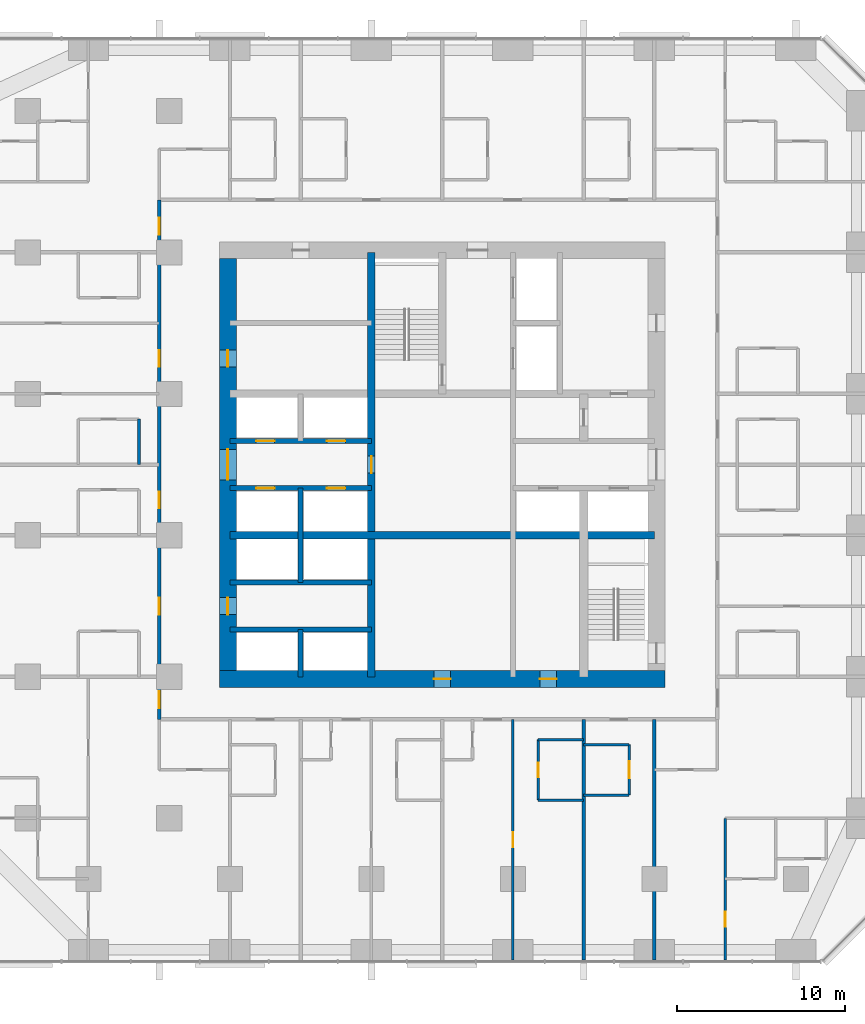
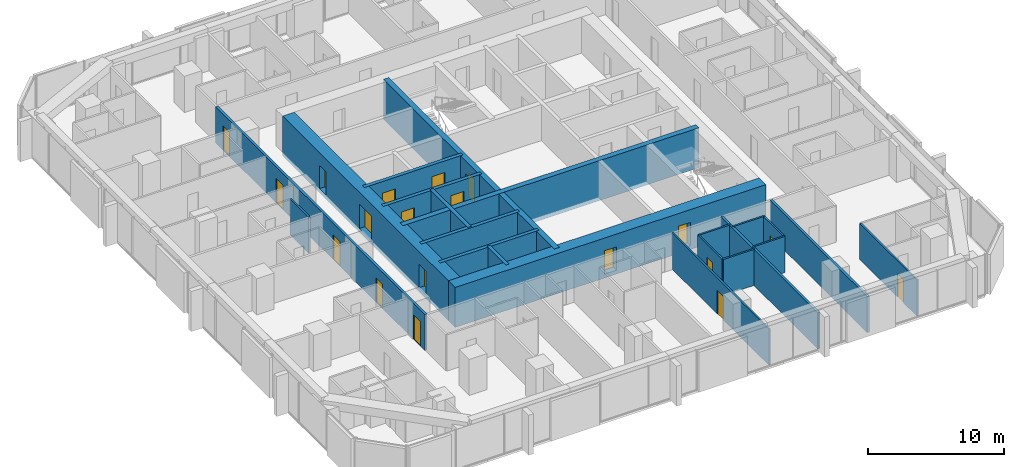
# One storey, part 9 of 14: 22 walls, 19 doors, 19 openings.
"""IFC4 building model written with IfcOpenShell, lengths in metres."""

from ifc_helpers import new_model, si_unit, direction, frame, frame_2d, origin, place, context, subcontext, project, spatial, rectangle, extrude, material, layer, layer_set, type_object, element, fill, save


model = new_model("IFC4")

# Units and contexts
model_context = context("Model", 3, precision=1e-05, world=origin(), true_north=direction((0.0, 1.0)))
body_context = subcontext(model_context, "Body", "Model", "MODEL_VIEW")
ifc_project = project(units=[si_unit("LENGTHUNIT", "METRE"), si_unit("AREAUNIT", "SQUARE_METRE"), si_unit("VOLUMEUNIT", "CUBIC_METRE"), si_unit("PLANEANGLEUNIT", "RADIAN"), si_unit("MASSUNIT", "GRAM", prefix="KILO")], contexts=[model_context])

# Site, building, storey
site_placement = place(None, origin())
site = spatial("IfcSite", under=ifc_project, at=site_placement, CompositionType="ELEMENT")
building_placement = place(site_placement, origin())
building = spatial("IfcBuilding", under=site, at=building_placement, Name="Dunama Terrace Hotel", CompositionType="ELEMENT")
storey_placement = place(building_placement, frame((0.0, 0.0, 140.39990234375)))
storey = spatial("IfcBuildingStorey", under=building, at=storey_placement, Name="L36", CompositionType="ELEMENT", Elevation=140.39990234375)

# Wall
ifc_material_1 = material(Name="Gypsum board partition", Category="masonry")
ifc_layer_1 = layer(ifc_material_1, 0.14990234375)
ifc_layer_set_1 = layer_set([ifc_layer_1], Name="Bathroom partition 150")
wall_type_1 = type_object("IfcWallType", Name="Bathroom partition 150", PredefinedType="PARTITIONING", material=ifc_layer_set_1)
wall_1_placement = place(storey_placement, frame((11.39990234375, 29.39990234375, 0.0), z_axis=(0.0, 0.0, 1.0), x_axis=(0.0, 1.0, 0.0)))
element("IfcWall", 1, at=wall_1_placement, inside=storey, type_object=wall_type_1, Name="Bathroom partition 150 L36", PredefinedType="PARTITIONING", context=body_context, shape_type="SweptSolid", body=[
    extrude(rectangle(XDim=2.7001953125, YDim=0.14990234375, at=frame_2d((1.35009765625, 0.0))), origin(), (0.0, 0.0, 1.0), 3.25),
])

# Wall, opening, door
wall_2_placement = place(storey_placement, frame((35.10009765625, 9.47509765625, 0.0), z_axis=(0.0, 0.0, 1.0), x_axis=(0.0, 1.0, 0.0)))
wall_2 = element("IfcWall", 2, at=wall_2_placement, inside=storey, type_object=wall_type_1, Name="Bathroom partition 150 L36", PredefinedType="PARTITIONING", context=body_context, shape_type="SweptSolid", body=[
    extrude(rectangle(XDim=3.599853515625, YDim=0.14990234375, at=frame_2d((1.7998046875, 0.0))), origin(), (0.0, 0.0, 1.0), 3.25),
])
opening_1_placement = place(wall_2_placement, frame((1.375, 0.0, 0.0)))
opening_1 = element("IfcOpeningElement", 3, at=opening_1_placement, cuts=wall_2, Name="Opening L34-36-020", PredefinedType="OPENING", context=body_context, shape_type="SweptSolid", body=[
    extrude(rectangle(XDim=0.85009765625, YDim=2.10009765625, at=frame_2d((0.425048828125, 1.050048828125))), frame((0.0, 0.0849609375, 0.0), z_axis=(0.0, -1.0, 0.0), x_axis=(1.0, 0.0, 0.0)), (0.0, 0.0, 1.0), 0.169921875),
])
ifc_material_2 = material(Name="Timber door with steel frame", Category="steel")
door_type_1 = type_object("IfcDoorType", Name="Bathroom door 850", OperationType="SINGLE_SWING_LEFT", PredefinedType="DOOR", material=ifc_material_2)
door_1_placement = place(opening_1_placement, frame((0.85009765625, 0.0, 0.0), z_axis=(0.0, 0.0, 1.0), x_axis=(-1.0, 0.0, 0.0)))
door_1 = element("IfcDoor", 4, at=door_1_placement, inside=storey, type_object=door_type_1, Name="Door to en-suite bathroom L34-36-020, type D2", OperationType="SINGLE_SWING_RIGHT", OverallHeight=2.10009765625, OverallWidth=0.85009765625, PredefinedType="DOOR", context=body_context, shape_type="SweptSolid", body=[
    extrude(rectangle(XDim=0.85009765625, YDim=2.10009765625, at=frame_2d((0.425048828125, 1.050048828125))), frame((0.0, 0.025146484375, 0.0), z_axis=(0.0, -1.0, 0.0), x_axis=(1.0, 0.0, 0.0)), (0.0, 0.0, 1.0), 0.050048828125),
])
fill(opening_1, door_1)

wall_3_placement = place(storey_placement, frame((40.5, 9.77490234375, 0.0), z_axis=(0.0, 0.0, 1.0), x_axis=(0.0, 1.0, 0.0)))
wall_3 = element("IfcWall", 5, at=wall_3_placement, inside=storey, type_object=wall_type_1, Name="Bathroom partition 150 L36", PredefinedType="PARTITIONING", context=body_context, shape_type="SweptSolid", body=[
    extrude(rectangle(XDim=3.0, YDim=0.14990234375, at=frame_2d((1.5, 0.0))), origin(), (0.0, 0.0, 1.0), 3.25),
])
opening_2_placement = place(wall_3_placement, frame((1.0, 0.0, 0.0)))
opening_2 = element("IfcOpeningElement", 6, at=opening_2_placement, cuts=wall_3, Name="Opening L34-36-022", PredefinedType="OPENING", context=body_context, shape_type="SweptSolid", body=[
    extrude(rectangle(XDim=1.0, YDim=2.10009765625, at=frame_2d((0.5, 1.050048828125))), frame((0.0, 0.0849609375, 0.0), z_axis=(0.0, -1.0, 0.0), x_axis=(1.0, 0.0, 0.0)), (0.0, 0.0, 1.0), 0.169921875),
])
ifc_material_3 = material(Name="Timber door with steel frame", Category="steel")
door_type_2 = type_object("IfcDoorType", Name="Accessible room door 1000", OperationType="SINGLE_SWING_LEFT", PredefinedType="DOOR", material=ifc_material_3)
door_2_placement = place(opening_2_placement, origin())
door_2 = element("IfcDoor", 7, at=door_2_placement, inside=storey, type_object=door_type_2, Name="Door to accessible en-suite bathroom L34-36-022, type D17", OperationType="SINGLE_SWING_LEFT", OverallHeight=2.10009765625, OverallWidth=1.0, PredefinedType="DOOR", context=body_context, shape_type="SweptSolid", body=[
    extrude(rectangle(XDim=1.0, YDim=2.10009765625, at=frame_2d((0.5, 1.050048828125))), frame((0.0, 0.02490234375, 0.0), z_axis=(0.0, -1.0, 0.0), x_axis=(1.0, 0.0, 0.0)), (0.0, 0.0, 1.0), 0.050048828125),
])
fill(opening_2, door_2)

# Walls
for number, where, z_axis, x_axis, name in (
    (8, (35.10009765625, 9.47509765625, 0.0), (0.0, 0.0, 1.0), (1.0, 0.0, 0.0), "Bathroom partition 150 L36"),
    (9, (37.800048828125, 9.77490234375, 0.0), (0.0, 0.0, 1.0), (1.0, 0.0, 0.0), "Bathroom partition 150 L36"),
    (10, (37.800048828125, 12.77490234375, 0.0), (0.0, 0.0, 1.0), (1.0, 0.0, 0.0), "Bathroom partition 150 L36"),
    (11, (35.10009765625, 13.074951171875, 0.0), (0.0, 0.0, 1.0), (1.0, 0.0, 0.0), "Bathroom partition 150 L36"),
):
    element("IfcWall", number, at=place(storey_placement, frame(where, z_axis=z_axis, x_axis=x_axis)), inside=storey, type_object=wall_type_1, Name=name, PredefinedType="PARTITIONING", context=body_context, shape_type="SweptSolid", body=[
        extrude(rectangle(XDim=2.699951171875, YDim=0.14990234375, at=frame_2d((1.35009765625, 0.0))), origin(), (0.0, 0.0, 1.0), 3.25),
    ])
ifc_material_4 = material(Name="Concrete C50/60", Category="concrete")
ifc_layer_2 = layer(ifc_material_4, 0.300048828125)
ifc_layer_set_2 = layer_set([ifc_layer_2], Name="Core inner wall 300")
wall_type_2 = type_object("IfcWallType", Name="Core inner wall 300", PredefinedType="SHEAR", material=ifc_layer_set_2)
wall_4_placement = place(storey_placement, frame((21.0, 16.800048828125, -0.349853515625), z_axis=(0.0, 0.0, 1.0), x_axis=(0.0, 1.0, 0.0)))
element("IfcWall", 12, at=wall_4_placement, inside=storey, type_object=wall_type_2, Name="Core inner wall 300 L36", PredefinedType="SHEAR", context=body_context, shape_type="SweptSolid", body=[
    extrude(rectangle(XDim=2.800048828125, YDim=0.300048828125, at=frame_2d((1.39990234375, 0.0))), origin(), (0.0, 0.0, 1.0), 3.599853515625),
])
wall_5_placement = place(storey_placement, frame((21.0, 22.39990234375, -0.349853515625), z_axis=(0.0, 0.0, 1.0), x_axis=(0.0, 1.0, 0.0)))
element("IfcWall", 13, at=wall_5_placement, inside=storey, type_object=wall_type_2, Name="Core inner wall 300 L36", PredefinedType="SHEAR", context=body_context, shape_type="SweptSolid", body=[
    extrude(rectangle(XDim=5.60009765625, YDim=0.300048828125, at=frame_2d((2.800048828125, 0.0))), origin(), (0.0, 0.0, 1.0), 3.599853515625),
])
for number, where, z_axis, x_axis, name in (
    (14, (16.800048828125, 19.60009765625, -0.349853515625), (0.0, 0.0, 1.0), (1.0, 0.0, 0.0), "Core inner wall 300 L36"),
    (15, (16.800048828125, 22.39990234375, -0.349853515625), (0.0, 0.0, 1.0), (1.0, 0.0, 0.0), "Core inner wall 300 L36"),
):
    element("IfcWall", number, at=place(storey_placement, frame(where, z_axis=z_axis, x_axis=x_axis)), inside=storey, type_object=wall_type_2, Name=name, PredefinedType="SHEAR", context=body_context, shape_type="SweptSolid", body=[
        extrude(rectangle(XDim=8.39990234375, YDim=0.300048828125, at=frame_2d((4.199951171875, 0.0))), origin(), (0.0, 0.0, 1.0), 3.599853515625),
    ])

# Wall, openings, doors
wall_6_placement = place(storey_placement, frame((16.800048828125, 28.0, -0.349853515625), z_axis=(0.0, 0.0, 1.0), x_axis=(1.0, 0.0, 0.0)))
wall_6 = element("IfcWall", 16, at=wall_6_placement, inside=storey, type_object=wall_type_2, Name="Core inner wall 300 L36", PredefinedType="SHEAR", context=body_context, shape_type="SweptSolid", body=[
    extrude(rectangle(XDim=8.39990234375, YDim=0.300048828125, at=frame_2d((4.199951171875, 0.0))), origin(), (0.0, 0.0, 1.0), 3.599853515625),
])
opening_3_placement = place(wall_6_placement, frame((1.550048828125, 0.0, 0.35009765625)))
opening_3 = element("IfcOpeningElement", 17, at=opening_3_placement, cuts=wall_6, Name="Opening L34-36-005", PredefinedType="OPENING", context=body_context, shape_type="SweptSolid", body=[
    extrude(rectangle(XDim=1.10009765625, YDim=2.199951171875, at=frame_2d((0.550048828125, 1.10009765625))), frame((0.0, 0.159912109375, 0.0), z_axis=(0.0, -1.0, 0.0), x_axis=(1.0, 0.0, 0.0)), (0.0, 0.0, 1.0), 0.320068359375),
])
opening_4_placement = place(wall_6_placement, frame((5.75, 0.0, 0.35009765625)))
opening_4 = element("IfcOpeningElement", 18, at=opening_4_placement, cuts=wall_6, Name="Opening L34-36-006", PredefinedType="OPENING", context=body_context, shape_type="SweptSolid", body=[
    extrude(rectangle(XDim=1.10009765625, YDim=2.199951171875, at=frame_2d((0.550048828125, 1.10009765625))), frame((0.0, 0.159912109375, 0.0), z_axis=(0.0, -1.0, 0.0), x_axis=(1.0, 0.0, 0.0)), (0.0, 0.0, 1.0), 0.320068359375),
])
ifc_material_5 = material(Name="Stainless steel lift door", Category="steel")
door_type_3 = type_object("IfcDoorType", Name="Lift landing door 1100", OperationType="DOUBLE_DOOR_SLIDING", PredefinedType="DOOR", material=ifc_material_5)
door_3_placement = place(opening_3_placement, origin())
door_3 = element("IfcDoor", 19, at=door_3_placement, inside=storey, type_object=door_type_3, Name="Landing door PC1 L34-36-005, type LD1", OperationType="DOUBLE_DOOR_SLIDING", OverallHeight=2.199951171875, OverallWidth=1.10009765625, PredefinedType="DOOR", context=body_context, shape_type="SweptSolid", body=[
    extrude(rectangle(XDim=1.10009765625, YDim=2.199951171875, at=frame_2d((0.550048828125, 1.10009765625))), frame((0.0, 0.02490234375, 0.0), z_axis=(0.0, -1.0, 0.0), x_axis=(1.0, 0.0, 0.0)), (0.0, 0.0, 1.0), 0.050048828125),
])
fill(opening_3, door_3)
door_4_placement = place(opening_4_placement, origin())
door_4 = element("IfcDoor", 20, at=door_4_placement, inside=storey, type_object=door_type_3, Name="Landing door PC2 L34-36-006, type LD1", OperationType="DOUBLE_DOOR_SLIDING", OverallHeight=2.199951171875, OverallWidth=1.10009765625, PredefinedType="DOOR", context=body_context, shape_type="SweptSolid", body=[
    extrude(rectangle(XDim=1.10009765625, YDim=2.199951171875, at=frame_2d((0.550048828125, 1.10009765625))), frame((0.0, 0.02490234375, 0.0), z_axis=(0.0, -1.0, 0.0), x_axis=(1.0, 0.0, 0.0)), (0.0, 0.0, 1.0), 0.050048828125),
])
fill(opening_4, door_4)

wall_7_placement = place(storey_placement, frame((16.800048828125, 30.800048828125, -0.349853515625), z_axis=(0.0, 0.0, 1.0), x_axis=(1.0, 0.0, 0.0)))
wall_7 = element("IfcWall", 21, at=wall_7_placement, inside=storey, type_object=wall_type_2, Name="Core inner wall 300 L36", PredefinedType="SHEAR", context=body_context, shape_type="SweptSolid", body=[
    extrude(rectangle(XDim=8.39990234375, YDim=0.300048828125, at=frame_2d((4.199951171875, 0.0))), origin(), (0.0, 0.0, 1.0), 3.599853515625),
])
opening_5_placement = place(wall_7_placement, frame((1.550048828125, 0.0, 0.35009765625)))
opening_5 = element("IfcOpeningElement", 22, at=opening_5_placement, cuts=wall_7, Name="Opening L34-36-007", PredefinedType="OPENING", context=body_context, shape_type="SweptSolid", body=[
    extrude(rectangle(XDim=1.10009765625, YDim=2.199951171875, at=frame_2d((0.550048828125, 1.10009765625))), frame((0.0, 0.159912109375, 0.0), z_axis=(0.0, -1.0, 0.0), x_axis=(1.0, 0.0, 0.0)), (0.0, 0.0, 1.0), 0.320068359375),
])
opening_6_placement = place(wall_7_placement, frame((5.75, 0.0, 0.35009765625)))
opening_6 = element("IfcOpeningElement", 23, at=opening_6_placement, cuts=wall_7, Name="Opening L34-36-008", PredefinedType="OPENING", context=body_context, shape_type="SweptSolid", body=[
    extrude(rectangle(XDim=1.10009765625, YDim=2.199951171875, at=frame_2d((0.550048828125, 1.10009765625))), frame((0.0, 0.159912109375, 0.0), z_axis=(0.0, -1.0, 0.0), x_axis=(1.0, 0.0, 0.0)), (0.0, 0.0, 1.0), 0.320068359375),
])
door_5_placement = place(opening_5_placement, origin())
door_5 = element("IfcDoor", 24, at=door_5_placement, inside=storey, type_object=door_type_3, Name="Landing door PC3 L34-36-007, type LD1", OperationType="DOUBLE_DOOR_SLIDING", OverallHeight=2.199951171875, OverallWidth=1.10009765625, PredefinedType="DOOR", context=body_context, shape_type="SweptSolid", body=[
    extrude(rectangle(XDim=1.10009765625, YDim=2.199951171875, at=frame_2d((0.550048828125, 1.10009765625))), frame((0.0, 0.02490234375, 0.0), z_axis=(0.0, -1.0, 0.0), x_axis=(1.0, 0.0, 0.0)), (0.0, 0.0, 1.0), 0.050048828125),
])
fill(opening_5, door_5)
door_6_placement = place(opening_6_placement, origin())
door_6 = element("IfcDoor", 25, at=door_6_placement, inside=storey, type_object=door_type_3, Name="Landing door PC4 L34-36-008, type LD1", OperationType="DOUBLE_DOOR_SLIDING", OverallHeight=2.199951171875, OverallWidth=1.10009765625, PredefinedType="DOOR", context=body_context, shape_type="SweptSolid", body=[
    extrude(rectangle(XDim=1.10009765625, YDim=2.199951171875, at=frame_2d((0.550048828125, 1.10009765625))), frame((0.0, 0.02490234375, 0.0), z_axis=(0.0, -1.0, 0.0), x_axis=(1.0, 0.0, 0.0)), (0.0, 0.0, 1.0), 0.050048828125),
])
fill(opening_6, door_6)

# Wall, opening, door
ifc_material_6 = material(Name="Concrete C50/60", Category="concrete")
ifc_layer_3 = layer(ifc_material_6, 0.449951171875)
ifc_layer_set_3 = layer_set([ifc_layer_3], Name="Core inner wall 450")
wall_type_3 = type_object("IfcWallType", Name="Core inner wall 450", PredefinedType="SHEAR", material=ifc_layer_set_3)
wall_8_placement = place(storey_placement, frame((25.199951171875, 16.800048828125, -0.349853515625), z_axis=(0.0, 0.0, 1.0), x_axis=(0.0, 1.0, 0.0)))
wall_8 = element("IfcWall", 26, at=wall_8_placement, inside=storey, type_object=wall_type_3, Name="Core inner wall 450 L36", PredefinedType="SHEAR", context=body_context, shape_type="SweptSolid", body=[
    extrude(rectangle(XDim=25.199951171875, YDim=0.449951171875, at=frame_2d((12.60009765625, 0.0))), origin(), (0.0, 0.0, 1.0), 3.599853515625),
])
opening_7_placement = place(wall_8_placement, frame((12.10009765625, 0.0, 0.35009765625)))
opening_7 = element("IfcOpeningElement", 27, at=opening_7_placement, cuts=wall_8, Name="Opening L34-36-074", PredefinedType="OPENING", context=body_context, shape_type="SweptSolid", body=[
    extrude(rectangle(XDim=1.0, YDim=2.10009765625, at=frame_2d((0.5, 1.050048828125))), frame((0.0, 0.23486328125, 0.0), z_axis=(0.0, -1.0, 0.0), x_axis=(1.0, 0.0, 0.0)), (0.0, 0.0, 1.0), 0.469970703125),
])
ifc_material_7 = material(Name="Timber door with steel frame", Category="steel")
door_type_4 = type_object("IfcDoorType", Name="Service door 1000", OperationType="SINGLE_SWING_LEFT", PredefinedType="DOOR", material=ifc_material_7)
door_7_placement = place(opening_7_placement, frame((1.0, 0.0, 0.0), z_axis=(0.0, 0.0, 1.0), x_axis=(-1.0, 0.0, 0.0)))
door_7 = element("IfcDoor", 28, at=door_7_placement, inside=storey, type_object=door_type_4, Name="Door to guest pantry L34-36-074, type D7", OperationType="SINGLE_SWING_RIGHT", OverallHeight=2.10009765625, OverallWidth=1.0, PredefinedType="DOOR", context=body_context, shape_type="SweptSolid", body=[
    extrude(rectangle(XDim=1.0, YDim=2.10009765625, at=frame_2d((0.5, 1.050048828125))), frame((0.0, 0.025146484375, 0.0), z_axis=(0.0, -1.0, 0.0), x_axis=(1.0, 0.0, 0.0)), (0.0, 0.0, 1.0), 0.050048828125),
])
fill(opening_7, door_7)

# Wall
wall_9_placement = place(storey_placement, frame((16.800048828125, 25.199951171875, -0.349853515625), z_axis=(0.0, 0.0, 1.0), x_axis=(1.0, 0.0, 0.0)))
element("IfcWall", 29, at=wall_9_placement, inside=storey, type_object=wall_type_3, Name="Core inner wall 450 L36", PredefinedType="SHEAR", context=body_context, shape_type="SweptSolid", body=[
    extrude(rectangle(XDim=25.199951171875, YDim=0.449951171875, at=frame_2d((12.60009765625, 0.0))), origin(), (0.0, 0.0, 1.0), 3.599853515625),
])

# Wall, openings, doors
ifc_material_8 = material(Name="Concrete C60/75", Category="concrete")
ifc_layer_4 = layer(ifc_material_8, 1.0)
ifc_layer_set_4 = layer_set([ifc_layer_4], Name="Core wall 1000")
wall_type_4 = type_object("IfcWallType", Name="Core wall 1000", PredefinedType="SHEAR", material=ifc_layer_set_4)
wall_10_placement = place(storey_placement, frame((16.175048828125, 16.675048828125, -0.349853515625), z_axis=(0.0, 0.0, 1.0), x_axis=(1.0, 0.0, 0.0)))
wall_10 = element("IfcWall", 30, at=wall_10_placement, inside=storey, type_object=wall_type_4, Name="Core wall south L36", PredefinedType="SHEAR", context=body_context, shape_type="SweptSolid", body=[
    extrude(rectangle(XDim=26.449951171875, YDim=1.0, at=frame_2d((13.22509765625, 0.0))), origin(), (0.0, 0.0, 1.0), 3.599853515625),
])
opening_8_placement = place(wall_10_placement, frame((12.72509765625, 0.0, 0.35009765625)))
opening_8 = element("IfcOpeningElement", 31, at=opening_8_placement, cuts=wall_10, Name="Opening L34-36-080", PredefinedType="OPENING", context=body_context, shape_type="SweptSolid", body=[
    extrude(rectangle(XDim=1.0, YDim=2.10009765625, at=frame_2d((0.5, 1.050048828125))), frame((0.0, 0.510009765625, 0.0), z_axis=(0.0, -1.0, 0.0), x_axis=(1.0, 0.0, 0.0)), (0.0, 0.0, 1.0), 1.02001953125),
])
opening_9_placement = place(wall_10_placement, frame((19.02490234375, 0.0, 0.35009765625)))
opening_9 = element("IfcOpeningElement", 32, at=opening_9_placement, cuts=wall_10, Name="Opening L34-36-081", PredefinedType="OPENING", context=body_context, shape_type="SweptSolid", body=[
    extrude(rectangle(XDim=1.0, YDim=2.10009765625, at=frame_2d((0.5, 1.050048828125))), frame((0.0, 0.510009765625, 0.0), z_axis=(0.0, -1.0, 0.0), x_axis=(1.0, 0.0, 0.0)), (0.0, 0.0, 1.0), 1.02001953125),
])
door_8_placement = place(opening_8_placement, origin())
door_8 = element("IfcDoor", 33, at=door_8_placement, inside=storey, type_object=door_type_4, Name="Door to corridor air handling room L34-36-080, type D7", OperationType="SINGLE_SWING_LEFT", OverallHeight=2.10009765625, OverallWidth=1.0, PredefinedType="DOOR", context=body_context, shape_type="SweptSolid", body=[
    extrude(rectangle(XDim=1.0, YDim=2.10009765625, at=frame_2d((0.5, 1.050048828125))), frame((0.0, 0.02490234375, 0.0), z_axis=(0.0, -1.0, 0.0), x_axis=(1.0, 0.0, 0.0)), (0.0, 0.0, 1.0), 0.050048828125),
])
fill(opening_8, door_8)
door_9_placement = place(opening_9_placement, origin())
door_9 = element("IfcDoor", 34, at=door_9_placement, inside=storey, type_object=door_type_4, Name="Door to water riser room L34-36-081, type D7", OperationType="SINGLE_SWING_RIGHT", OverallHeight=2.10009765625, OverallWidth=1.0, PredefinedType="DOOR", context=body_context, shape_type="SweptSolid", body=[
    extrude(rectangle(XDim=1.0, YDim=2.10009765625, at=frame_2d((0.5, 1.050048828125))), frame((0.0, 0.02490234375, 0.0), z_axis=(0.0, -1.0, 0.0), x_axis=(1.0, 0.0, 0.0)), (0.0, 0.0, 1.0), 0.050048828125),
])
fill(opening_9, door_9)

wall_11_placement = place(storey_placement, frame((16.675048828125, 41.625, -0.349853515625), z_axis=(0.0, 0.0, 1.0), x_axis=(0.0, -1.0, 0.0)))
wall_11 = element("IfcWall", 35, at=wall_11_placement, inside=storey, type_object=wall_type_4, Name="Core wall west L36", PredefinedType="SHEAR", context=body_context, shape_type="SweptSolid", body=[
    extrude(rectangle(XDim=24.449951171875, YDim=1.0, at=frame_2d((12.22509765625, 0.0))), origin(), (0.0, 0.0, 1.0), 3.599853515625),
])
opening_10_placement = place(wall_11_placement, frame((11.324951171875, 0.0, 0.35009765625)))
opening_10 = element("IfcOpeningElement", 36, at=opening_10_placement, cuts=wall_11, Name="Opening L34-36-070", PredefinedType="OPENING", context=body_context, shape_type="SweptSolid", body=[
    extrude(rectangle(XDim=1.800048828125, YDim=2.199951171875, at=frame_2d((0.89990234375, 1.10009765625))), frame((0.0, 0.510009765625, 0.0), z_axis=(0.0, -1.0, 0.0), x_axis=(1.0, 0.0, 0.0)), (0.0, 0.0, 1.0), 1.02001953125),
])
opening_11_placement = place(wall_11_placement, frame((20.125, 0.0, 0.35009765625)))
opening_11 = element("IfcOpeningElement", 37, at=opening_11_placement, cuts=wall_11, Name="Opening L34-36-071", PredefinedType="OPENING", context=body_context, shape_type="SweptSolid", body=[
    extrude(rectangle(XDim=1.0, YDim=2.10009765625, at=frame_2d((0.5, 1.050048828125))), frame((0.0, 0.510009765625, 0.0), z_axis=(0.0, -1.0, 0.0), x_axis=(1.0, 0.0, 0.0)), (0.0, 0.0, 1.0), 1.02001953125),
])
opening_12_placement = place(wall_11_placement, frame((5.425048828125, 0.0, 0.35009765625)))
opening_12 = element("IfcOpeningElement", 38, at=opening_12_placement, cuts=wall_11, Name="Opening L34-36-072", PredefinedType="OPENING", context=body_context, shape_type="SweptSolid", body=[
    extrude(rectangle(XDim=1.0, YDim=2.10009765625, at=frame_2d((0.5, 1.050048828125))), frame((0.0, 0.510009765625, 0.0), z_axis=(0.0, -1.0, 0.0), x_axis=(1.0, 0.0, 0.0)), (0.0, 0.0, 1.0), 1.02001953125),
])
ifc_material_9 = material(Name="Timber door with steel frame", Category="steel")
door_type_5 = type_object("IfcDoorType", Name="Lift lobby double door 1800", OperationType="DOUBLE_DOOR_DOUBLE_SWING", PredefinedType="DOOR", material=ifc_material_9)
door_10_placement = place(opening_10_placement, origin())
door_10 = element("IfcDoor", 39, at=door_10_placement, inside=storey, type_object=door_type_5, Name="Door to lift lobby L34-36-070, type D3", OperationType="DOUBLE_DOOR_DOUBLE_SWING", OverallHeight=2.199951171875, OverallWidth=1.800048828125, PredefinedType="DOOR", context=body_context, shape_type="SweptSolid", body=[
    extrude(rectangle(XDim=1.800048828125, YDim=2.199951171875, at=frame_2d((0.89990234375, 1.10009765625))), frame((0.0, 0.02490234375, 0.0), z_axis=(0.0, -1.0, 0.0), x_axis=(1.0, 0.0, 0.0)), (0.0, 0.0, 1.0), 0.050048828125),
])
fill(opening_10, door_10)
door_11_placement = place(opening_11_placement, origin())
door_11 = element("IfcDoor", 40, at=door_11_placement, inside=storey, type_object=door_type_4, Name="Door to service lobby L34-36-071, type D7", OperationType="SINGLE_SWING_LEFT", OverallHeight=2.10009765625, OverallWidth=1.0, PredefinedType="DOOR", context=body_context, shape_type="SweptSolid", body=[
    extrude(rectangle(XDim=1.0, YDim=2.10009765625, at=frame_2d((0.5, 1.050048828125))), frame((0.0, 0.02490234375, 0.0), z_axis=(0.0, -1.0, 0.0), x_axis=(1.0, 0.0, 0.0)), (0.0, 0.0, 1.0), 0.050048828125),
])
fill(opening_11, door_11)
door_12_placement = place(opening_12_placement, origin())
door_12 = element("IfcDoor", 41, at=door_12_placement, inside=storey, type_object=door_type_4, Name="Door to electrical room L34-36-072, type D7", OperationType="SINGLE_SWING_RIGHT", OverallHeight=2.10009765625, OverallWidth=1.0, PredefinedType="DOOR", context=body_context, shape_type="SweptSolid", body=[
    extrude(rectangle(XDim=1.0, YDim=2.10009765625, at=frame_2d((0.5, 1.050048828125))), frame((0.0, 0.02490234375, 0.0), z_axis=(0.0, -1.0, 0.0), x_axis=(1.0, 0.0, 0.0)), (0.0, 0.0, 1.0), 0.050048828125),
])
fill(opening_12, door_12)

ifc_material_10 = material(Name="Concrete blockwork", Category="masonry")
ifc_layer_5 = layer(ifc_material_10, 0.199951171875)
ifc_layer_set_5 = layer_set([ifc_layer_5], Name="Corridor partition 200")
wall_type_5 = type_object("IfcWallType", Name="Corridor partition 200", PredefinedType="PARTITIONING", material=ifc_layer_set_5)
wall_12_placement = place(storey_placement, frame((12.60009765625, 14.27490234375, 0.0), z_axis=(0.0, 0.0, 1.0), x_axis=(0.0, 1.0, 0.0)))
wall_12 = element("IfcWall", 42, at=wall_12_placement, inside=storey, type_object=wall_type_5, Name="Corridor partition 200 L36", PredefinedType="PARTITIONING", context=body_context, shape_type="SweptSolid", body=[
    extrude(rectangle(XDim=30.85009765625, YDim=0.199951171875, at=frame_2d((15.425048828125, 0.0))), origin(), (0.0, 0.0, 1.0), 3.25),
])
opening_13_placement = place(wall_12_placement, frame((6.22509765625, 0.0, 0.0)))
opening_13 = element("IfcOpeningElement", 43, at=opening_13_placement, cuts=wall_12, Name="Opening L34-36-040", PredefinedType="OPENING", context=body_context, shape_type="SweptSolid", body=[
    extrude(rectangle(XDim=1.0, YDim=2.199951171875, at=frame_2d((0.5, 1.10009765625))), frame((0.0, 0.10986328125, 0.0), z_axis=(0.0, -1.0, 0.0), x_axis=(1.0, 0.0, 0.0)), (0.0, 0.0, 1.0), 0.219970703125),
])
opening_14_placement = place(wall_12_placement, frame((12.52490234375, 0.0, 0.0)))
opening_14 = element("IfcOpeningElement", 44, at=opening_14_placement, cuts=wall_12, Name="Opening L34-36-042", PredefinedType="OPENING", context=body_context, shape_type="SweptSolid", body=[
    extrude(rectangle(XDim=1.0, YDim=2.199951171875, at=frame_2d((0.5, 1.10009765625))), frame((0.0, 0.10986328125, 0.0), z_axis=(0.0, -1.0, 0.0), x_axis=(1.0, 0.0, 0.0)), (0.0, 0.0, 1.0), 0.219970703125),
])
opening_15_placement = place(wall_12_placement, frame((20.925048828125, 0.0, 0.0)))
opening_15 = element("IfcOpeningElement", 45, at=opening_15_placement, cuts=wall_12, Name="Opening L34-36-044", PredefinedType="OPENING", context=body_context, shape_type="SweptSolid", body=[
    extrude(rectangle(XDim=1.0, YDim=2.199951171875, at=frame_2d((0.5, 1.10009765625))), frame((0.0, 0.10986328125, 0.0), z_axis=(0.0, -1.0, 0.0), x_axis=(1.0, 0.0, 0.0)), (0.0, 0.0, 1.0), 0.219970703125),
])
opening_16_placement = place(wall_12_placement, frame((0.6630859375, 0.0, 0.0)))
opening_16 = element("IfcOpeningElement", 46, at=opening_16_placement, cuts=wall_12, Name="Opening L34-36-049", PredefinedType="OPENING", context=body_context, shape_type="SweptSolid", body=[
    extrude(rectangle(XDim=1.0, YDim=2.199951171875, at=frame_2d((0.5, 1.10009765625))), frame((0.0, 0.10986328125, 0.0), z_axis=(0.0, -1.0, 0.0), x_axis=(1.0, 0.0, 0.0)), (0.0, 0.0, 1.0), 0.219970703125),
])
opening_17_placement = place(wall_12_placement, frame((28.787109375, 0.0, 0.0)))
opening_17 = element("IfcOpeningElement", 47, at=opening_17_placement, cuts=wall_12, Name="Opening L34-36-065", PredefinedType="OPENING", context=body_context, shape_type="SweptSolid", body=[
    extrude(rectangle(XDim=1.0, YDim=2.199951171875, at=frame_2d((0.5, 1.10009765625))), frame((0.0, 0.10986328125, 0.0), z_axis=(0.0, -1.0, 0.0), x_axis=(1.0, 0.0, 0.0)), (0.0, 0.0, 1.0), 0.219970703125),
])
ifc_material_11 = material(Name="Timber door with steel frame", Category="steel")
door_type_6 = type_object("IfcDoorType", Name="Guest room door 1000", OperationType="SINGLE_SWING_LEFT", PredefinedType="DOOR", material=ifc_material_11)
door_13_placement = place(opening_13_placement, origin())
door_13 = element("IfcDoor", 48, at=door_13_placement, inside=storey, type_object=door_type_6, Name="Door to junior suite L34-36-040, type D1", OperationType="SINGLE_SWING_LEFT", OverallHeight=2.199951171875, OverallWidth=1.0, PredefinedType="DOOR", context=body_context, shape_type="SweptSolid", body=[
    extrude(rectangle(XDim=1.0, YDim=2.199951171875, at=frame_2d((0.5, 1.10009765625))), frame((0.0, 0.02490234375, 0.0), z_axis=(0.0, -1.0, 0.0), x_axis=(1.0, 0.0, 0.0)), (0.0, 0.0, 1.0), 0.050048828125),
])
fill(opening_13, door_13)
door_14_placement = place(opening_14_placement, origin())
door_14 = element("IfcDoor", 49, at=door_14_placement, inside=storey, type_object=door_type_6, Name="Door to premier room L34-36-042, type D1", OperationType="SINGLE_SWING_LEFT", OverallHeight=2.199951171875, OverallWidth=1.0, PredefinedType="DOOR", context=body_context, shape_type="SweptSolid", body=[
    extrude(rectangle(XDim=1.0, YDim=2.199951171875, at=frame_2d((0.5, 1.10009765625))), frame((0.0, 0.02490234375, 0.0), z_axis=(0.0, -1.0, 0.0), x_axis=(1.0, 0.0, 0.0)), (0.0, 0.0, 1.0), 0.050048828125),
])
fill(opening_14, door_14)
door_15_placement = place(opening_15_placement, origin())
door_15 = element("IfcDoor", 50, at=door_15_placement, inside=storey, type_object=door_type_6, Name="Door to family suite living room L34-36-044, type D1", OperationType="SINGLE_SWING_LEFT", OverallHeight=2.199951171875, OverallWidth=1.0, PredefinedType="DOOR", context=body_context, shape_type="SweptSolid", body=[
    extrude(rectangle(XDim=1.0, YDim=2.199951171875, at=frame_2d((0.5, 1.10009765625))), frame((0.0, 0.02490234375, 0.0), z_axis=(0.0, -1.0, 0.0), x_axis=(1.0, 0.0, 0.0)), (0.0, 0.0, 1.0), 0.050048828125),
])
fill(opening_15, door_15)
door_16_placement = place(opening_16_placement, origin())
door_16 = element("IfcDoor", 51, at=door_16_placement, inside=storey, type_object=door_type_6, Name="Door to corner suite living room L34-36-049, type D1", OperationType="SINGLE_SWING_RIGHT", OverallHeight=2.199951171875, OverallWidth=1.0, PredefinedType="DOOR", context=body_context, shape_type="SweptSolid", body=[
    extrude(rectangle(XDim=1.0, YDim=2.199951171875, at=frame_2d((0.5, 1.10009765625))), frame((0.0, 0.02490234375, 0.0), z_axis=(0.0, -1.0, 0.0), x_axis=(1.0, 0.0, 0.0)), (0.0, 0.0, 1.0), 0.050048828125),
])
fill(opening_16, door_16)
door_17_placement = place(opening_17_placement, origin())
door_17 = element("IfcDoor", 52, at=door_17_placement, inside=storey, type_object=door_type_6, Name="Door to corner suite living room L34-36-065, type D1", OperationType="SINGLE_SWING_LEFT", OverallHeight=2.199951171875, OverallWidth=1.0, PredefinedType="DOOR", context=body_context, shape_type="SweptSolid", body=[
    extrude(rectangle(XDim=1.0, YDim=2.199951171875, at=frame_2d((0.5, 1.10009765625))), frame((0.0, 0.02490234375, 0.0), z_axis=(0.0, -1.0, 0.0), x_axis=(1.0, 0.0, 0.0)), (0.0, 0.0, 1.0), 0.050048828125),
])
fill(opening_17, door_17)

# Walls
ifc_material_12 = material(Name="Concrete blockwork", Category="masonry")
ifc_layer_6 = layer(ifc_material_12, 0.199951171875)
ifc_layer_set_6 = layer_set([ifc_layer_6], Name="Party wall 200")
wall_type_6 = type_object("IfcWallType", Name="Party wall 200", PredefinedType="PARTITIONING", material=ifc_layer_set_6)
for number, where, z_axis, x_axis, name in (
    (53, (37.800048828125, -0.01806640625, 0.0), (0.0, 0.0, 1.0), (0.0, 1.0, 0.0), "Party wall 200 L36"),
    (54, (42.0, -0.01806640625, 0.0), (0.0, 0.0, 1.0), (0.0, 1.0, 0.0), "Party wall 200 L36"),
):
    element("IfcWall", number, at=place(storey_placement, frame(where, z_axis=z_axis, x_axis=x_axis)), inside=storey, type_object=wall_type_6, Name=name, PredefinedType="PARTITIONING", context=body_context, shape_type="SweptSolid", body=[
        extrude(rectangle(XDim=14.29296875, YDim=0.199951171875, at=frame_2d((7.146484375, 0.0))), origin(), (0.0, 0.0, 1.0), 3.25),
    ])

# Wall, opening, door
ifc_material_13 = material(Name="Gypsum board partition", Category="masonry")
ifc_layer_7 = layer(ifc_material_13, 0.14990234375)
ifc_layer_set_7 = layer_set([ifc_layer_7], Name="Room partition 150")
wall_type_7 = type_object("IfcWallType", Name="Room partition 150", PredefinedType="PARTITIONING", material=ifc_layer_set_7)
wall_13_placement = place(storey_placement, frame((33.60009765625, -0.01806640625, 0.0), z_axis=(0.0, 0.0, 1.0), x_axis=(0.0, 1.0, 0.0)))
wall_13 = element("IfcWall", 55, at=wall_13_placement, inside=storey, type_object=wall_type_7, Name="Room partition 150 L36", PredefinedType="PARTITIONING", context=body_context, shape_type="SweptSolid", body=[
    extrude(rectangle(XDim=14.29296875, YDim=0.14990234375, at=frame_2d((7.146484375, 0.0))), origin(), (0.0, 0.0, 1.0), 3.25),
])
opening_18_placement = place(wall_13_placement, frame((6.7060546875, 0.0, 0.0)))
opening_18 = element("IfcOpeningElement", 56, at=opening_18_placement, cuts=wall_13, Name="Opening L34-36-019", PredefinedType="OPENING", context=body_context, shape_type="SweptSolid", body=[
    extrude(rectangle(XDim=0.89990234375, YDim=2.10009765625, at=frame_2d((0.449951171875, 1.050048828125))), frame((0.0, 0.0849609375, 0.0), z_axis=(0.0, -1.0, 0.0), x_axis=(1.0, 0.0, 0.0)), (0.0, 0.0, 1.0), 0.169921875),
])
ifc_material_14 = material(Name="Timber door with steel frame", Category="steel")
door_type_7 = type_object("IfcDoorType", Name="Suite internal door 900", OperationType="SINGLE_SWING_LEFT", PredefinedType="DOOR", material=ifc_material_14)
door_18_placement = place(opening_18_placement, frame((0.89990234375, 0.0, 0.0), z_axis=(0.0, 0.0, 1.0), x_axis=(-1.0, 0.0, 0.0)))
door_18 = element("IfcDoor", 57, at=door_18_placement, inside=storey, type_object=door_type_7, Name="Door to premier suite bedroom L34-36-019, type D16", OperationType="SINGLE_SWING_RIGHT", OverallHeight=2.10009765625, OverallWidth=0.89990234375, PredefinedType="DOOR", context=body_context, shape_type="SweptSolid", body=[
    extrude(rectangle(XDim=0.89990234375, YDim=2.10009765625, at=frame_2d((0.449951171875, 1.050048828125))), frame((0.0, 0.025146484375, 0.0), z_axis=(0.0, -1.0, 0.0), x_axis=(1.0, 0.0, 0.0)), (0.0, 0.0, 1.0), 0.050048828125),
])
fill(opening_18, door_18)

wall_14_placement = place(storey_placement, frame((46.199951171875, -0.01806640625, 0.0), z_axis=(0.0, 0.0, 1.0), x_axis=(0.0, 1.0, 0.0)))
wall_14 = element("IfcWall", 58, at=wall_14_placement, inside=storey, type_object=wall_type_7, Name="Room partition 150 L36", PredefinedType="PARTITIONING", context=body_context, shape_type="SweptSolid", body=[
    extrude(rectangle(XDim=8.41796875, YDim=0.14990234375, at=frame_2d((4.208984375, 0.0))), origin(), (0.0, 0.0, 1.0), 3.25),
])
opening_19_placement = place(wall_14_placement, frame((1.968017578125, 0.0, 0.0)))
opening_19 = element("IfcOpeningElement", 59, at=opening_19_placement, cuts=wall_14, Name="Opening L34-36-057", PredefinedType="OPENING", context=body_context, shape_type="SweptSolid", body=[
    extrude(rectangle(XDim=0.89990234375, YDim=2.10009765625, at=frame_2d((0.449951171875, 1.050048828125))), frame((0.0, 0.0849609375, 0.0), z_axis=(0.0, -1.0, 0.0), x_axis=(1.0, 0.0, 0.0)), (0.0, 0.0, 1.0), 0.169921875),
])
door_19_placement = place(opening_19_placement, frame((0.89990234375, 0.0, 0.0), z_axis=(0.0, 0.0, 1.0), x_axis=(-1.0, 0.0, 0.0)))
door_19 = element("IfcDoor", 60, at=door_19_placement, inside=storey, type_object=door_type_7, Name="Door to corner suite bedroom L34-36-057, type D16", OperationType="SINGLE_SWING_LEFT", OverallHeight=2.10009765625, OverallWidth=0.89990234375, PredefinedType="DOOR", context=body_context, shape_type="SweptSolid", body=[
    extrude(rectangle(XDim=0.89990234375, YDim=2.10009765625, at=frame_2d((0.449951171875, 1.050048828125))), frame((0.0, 0.025146484375, 0.0), z_axis=(0.0, -1.0, 0.0), x_axis=(1.0, 0.0, 0.0)), (0.0, 0.0, 1.0), 0.050048828125),
])
fill(opening_19, door_19)

save(model, "model.ifc")
